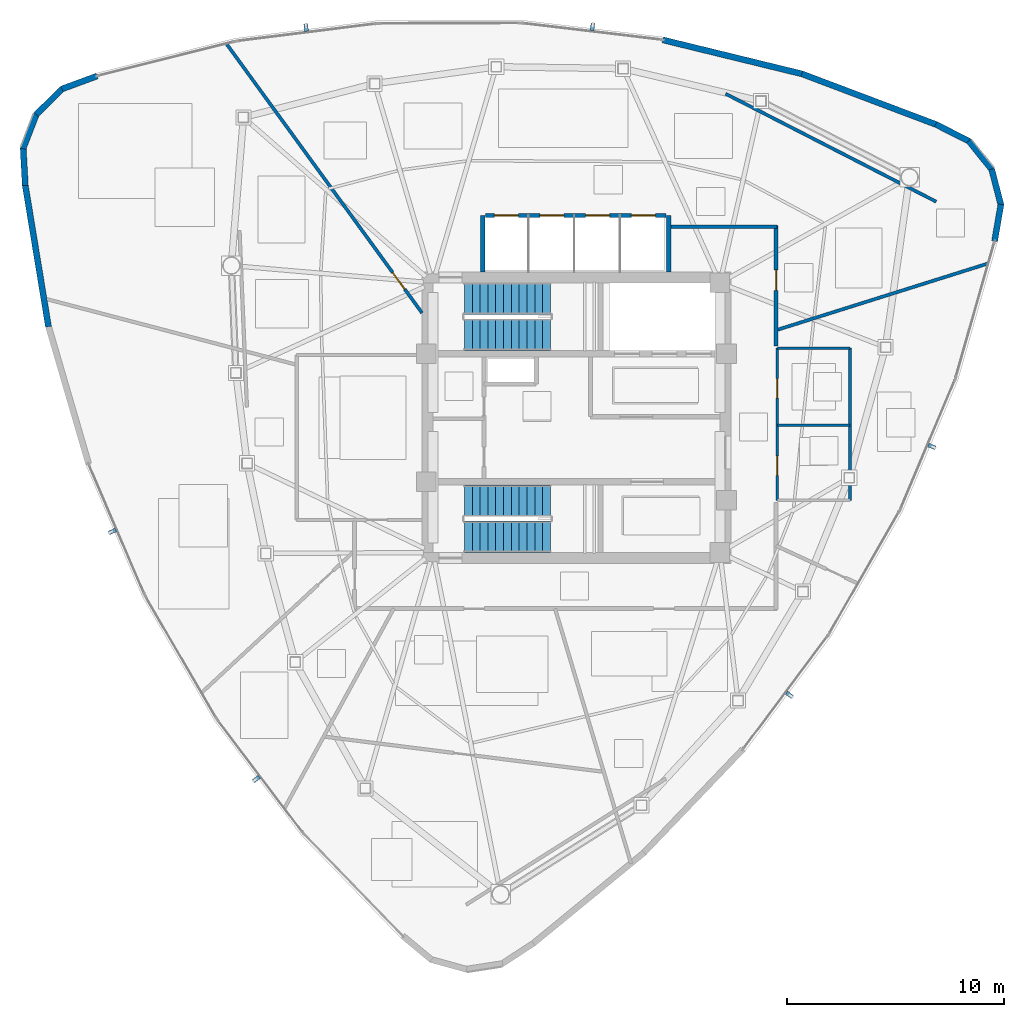
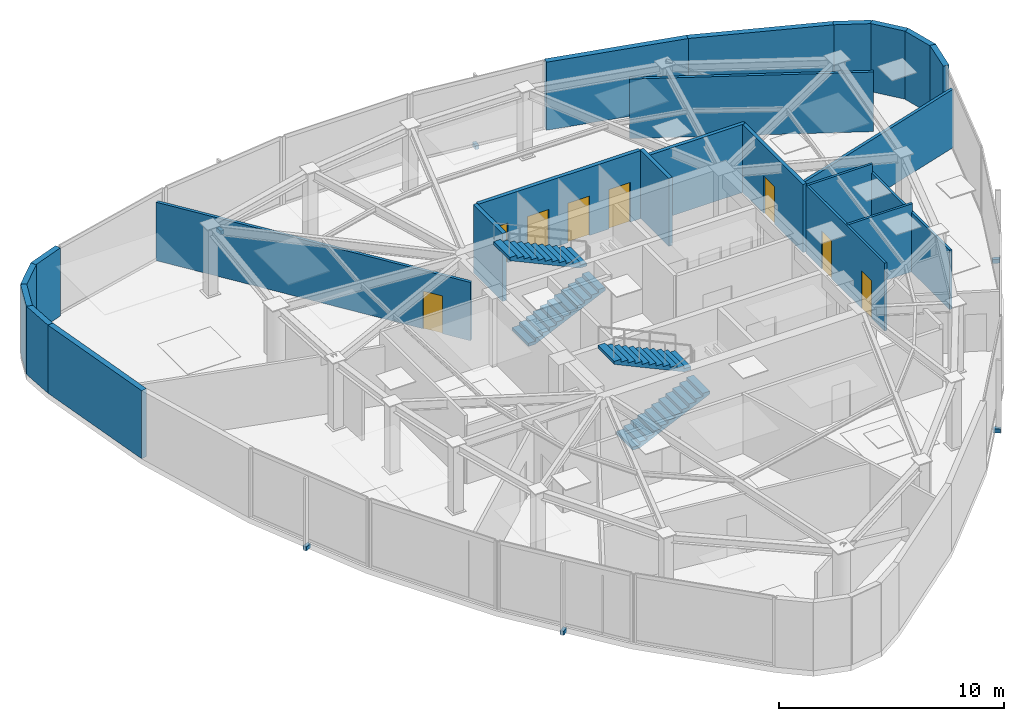
# One storey, part 9 of 12: 23 walls, 8 doors, 6 discrete accessories, 4 stair flights, 8 openings, 2 elements without a shape of their own.
"""IFC4 building model written with IfcOpenShell, lengths in metres."""

from ifc_helpers import new_model, si_unit, direction, frame, frame_2d, origin, origin_2d, place, context, subcontext, project, spatial, polyline, rectangle, outline, extrude, source, transform, mapped, material, layer, layer_set, type_object, type_shapes, element, fill, aggregate, save


model = new_model("IFC4")

# Units and contexts
model_context = context("Model", 3, precision=1e-05, world=origin(), true_north=direction((0.0, 1.0)))
body_context = subcontext(model_context, "Body", "Model", "MODEL_VIEW")
ifc_project = project(units=[si_unit("LENGTHUNIT", "METRE"), si_unit("AREAUNIT", "SQUARE_METRE"), si_unit("VOLUMEUNIT", "CUBIC_METRE"), si_unit("PLANEANGLEUNIT", "RADIAN"), si_unit("MASSUNIT", "GRAM", prefix="KILO")], contexts=[model_context])

# Site, building, storey
site_placement = place(None, origin())
site = spatial("IfcSite", under=ifc_project, at=site_placement, CompositionType="ELEMENT")
building_placement = place(site_placement, origin())
building = spatial("IfcBuilding", under=site, at=building_placement, Name="Tavelor Broadcast Tower", CompositionType="ELEMENT")
storey_placement = place(building_placement, frame((0.0, 0.0, 281.5)))
storey = spatial("IfcBuildingStorey", under=building, at=storey_placement, Name="L67", CompositionType="ELEMENT", Elevation=281.5)

# Wall
ifc_material_1 = material(Name="Calcium Silicate Fire Board 180 mm", Category="gypsum")
ifc_layer_1 = layer(ifc_material_1, 0.179931640625)
ifc_layer_set_1 = layer_set([ifc_layer_1], Name="Calcium Silicate Fire Board 180 mm")
wall_type_1 = type_object("IfcWallType", Name="Fire-Rated Corridor Partition Wall 180 mm", PredefinedType="PARTITIONING", material=ifc_layer_set_1)
wall_1_placement = place(storey_placement, frame((54.300048828125, 53.780029296875, 0.0), z_axis=(0.0, 0.0, 1.0), x_axis=(1.0, 0.0, 0.0)))
element("IfcWall", 1, at=wall_1_placement, inside=storey, type_object=wall_type_1, Name="L67 Corridor Compartment Wall 01", PredefinedType="PARTITIONING", context=body_context, shape_type="SweptSolid", body=[
    extrude(rectangle(XDim=4.929931640625, YDim=0.179931640625, at=frame_2d((2.46484375, 0.0))), origin(), (0.0, 0.0, 1.0), 3.699951171875),
])

# Wall, opening, door
wall_2_placement = place(storey_placement, frame((59.179931640625, 53.830078125, 0.0), z_axis=(0.0, 0.0, 1.0), x_axis=(0.0, -1.0, 0.0)))
wall_2 = element("IfcWall", 2, at=wall_2_placement, inside=storey, type_object=wall_type_1, Name="L67 Corridor Compartment Wall 02", PredefinedType="PARTITIONING", context=body_context, shape_type="SweptSolid", body=[
    extrude(rectangle(XDim=5.530029296875, YDim=0.179931640625, at=frame_2d((2.76513671875, 0.0))), origin(), (0.0, 0.0, 1.0), 3.699951171875),
])
opening_1_placement = place(wall_2_placement, frame((2.027587890625, 0.0, 0.0)))
opening_1 = element("IfcOpeningElement", 3, at=opening_1_placement, cuts=wall_2, Name="Opening DR18", PredefinedType="OPENING", context=body_context, shape_type="SweptSolid", body=[
    extrude(rectangle(XDim=0.949951171875, YDim=2.050048828125, at=frame_2d((0.47509765625, 1.02490234375))), frame((0.0, 0.10009765625, 0.0), z_axis=(0.0, -1.0, 0.0), x_axis=(1.0, 0.0, 0.0)), (0.0, 0.0, 1.0), 0.199951171875),
])
ifc_material_2 = material(Name="Timber Solid Core Hardwood", Category="wood")
door_type_1 = type_object("IfcDoorType", Name="Corridor Rated Compartment Door 950x2050", OperationType="NOTDEFINED", PredefinedType="DOOR", material=ifc_material_2)
door_1_placement = place(opening_1_placement, origin())
door_1 = element("IfcDoor", 4, at=door_1_placement, inside=storey, type_object=door_type_1, Name="L67 Press Concierge Desk Door R6", OperationType="SINGLE_SWING_RIGHT", OverallHeight=2.050048828125, OverallWidth=0.949951171875, PredefinedType="DOOR", context=body_context, shape_type="SweptSolid", body=[
    extrude(rectangle(XDim=0.949951171875, YDim=2.050048828125, at=frame_2d((0.47509765625, 1.02490234375))), frame((0.0, 0.02490234375, 0.0), z_axis=(0.0, -1.0, 0.0), x_axis=(1.0, 0.0, 0.0)), (0.0, 0.0, 1.0), 0.050048828125),
])
fill(opening_1, door_1)

# Walls
ifc_material_3 = material(Name="Precast Concrete C40/50", Category="concrete")
ifc_layer_2 = layer(ifc_material_3, 0.280029296875)
ifc_layer_set_2 = layer_set([ifc_layer_2], Name="Precast Concrete C40/50")
wall_type_2 = type_object("IfcWallType", Name="Insulated Precast Terracotta Facade Wall 280 mm", PredefinedType="STANDARD", material=ifc_layer_set_2)
wall_3_placement = place(storey_placement, frame((27.951904296875, 60.71142578125, 0.0), z_axis=(0.0, 0.0, 1.0), x_axis=(-0.938199627203, -0.34609458175, 0.0)))
element("IfcWall", 5, at=wall_3_placement, inside=storey, type_object=wall_type_2, Name="L67 Rounded Corner Structural Cladding Pier 01", PredefinedType="STANDARD", context=body_context, shape_type="SweptSolid", body=[
    extrude(rectangle(XDim=1.71484375, YDim=0.280029296875, at=frame_2d((0.857421875, 0.0))), origin(), (0.0, 0.0, 1.0), 3.699951171875),
])
for number, where, z_axis, x_axis, name in (
    (6, (26.36767578125, 60.1337890625, 0.0), (0.0, 0.0, 1.0), (-0.712603196174, -0.701567305968, 0.0), "L67 Rounded Corner Structural Cladding Pier 02"),
    (7, (25.169921875, 58.963134765625, 0.0), (0.0, 0.0, 1.0), (-0.360889558157, -0.932608560337, 0.0), "L67 Rounded Corner Structural Cladding Pier 03"),
):
    element("IfcWall", number, at=place(storey_placement, frame(where, z_axis=z_axis, x_axis=x_axis)), inside=storey, type_object=wall_type_2, Name=name, PredefinedType="STANDARD", context=body_context, shape_type="SweptSolid", body=[
        extrude(rectangle(XDim=1.703369140625, YDim=0.280029296875, at=frame_2d((0.8515625, 0.0))), origin(), (0.0, 0.0, 1.0), 3.699951171875),
    ])
wall_4_placement = place(storey_placement, frame((24.559814453125, 57.403564453125, 0.0), z_axis=(0.0, 0.0, 1.0), x_axis=(0.054882450085, -0.998492822544, 0.0)))
element("IfcWall", 8, at=wall_4_placement, inside=storey, type_object=wall_type_2, Name="L67 Rounded Corner Structural Cladding Pier 04", PredefinedType="STANDARD", context=body_context, shape_type="SweptSolid", body=[
    extrude(rectangle(XDim=1.72607421875, YDim=0.280029296875, at=frame_2d((0.863037109375, 0.0))), origin(), (0.0, 0.0, 1.0), 3.699951171875),
])
wall_5_placement = place(storey_placement, frame((24.6513671875, 55.709716796875, 0.0), z_axis=(0.0, 0.0, 1.0), x_axis=(0.162003710454, -0.986790148815, 0.0)))
element("IfcWall", 9, at=wall_5_placement, inside=storey, type_object=wall_type_2, Name="L67 Rounded Corner Structural Cladding Pier 05", PredefinedType="STANDARD", context=body_context, shape_type="SweptSolid", body=[
    extrude(rectangle(XDim=6.61279296875, YDim=0.280029296875, at=frame_2d((3.306396484375, 0.0))), origin(), (0.0, 0.0, 1.0), 3.699951171875),
])
wall_6_placement = place(storey_placement, frame((69.230712890625, 53.120849609375, 0.0), z_axis=(0.0, 0.0, 1.0), x_axis=(0.169268061447, 0.985570049958, 0.0)))
element("IfcWall", 10, at=wall_6_placement, inside=storey, type_object=wall_type_2, Name="L67 Rounded Corner Structural Cladding Pier 21", PredefinedType="STANDARD", context=body_context, shape_type="SweptSolid", body=[
    extrude(rectangle(XDim=1.71484375, YDim=0.280029296875, at=frame_2d((0.857421875, 0.0))), origin(), (0.0, 0.0, 1.0), 3.699951171875),
])
wall_7_placement = place(storey_placement, frame((69.522216796875, 54.78173828125, 0.0), z_axis=(0.0, 0.0, 1.0), x_axis=(-0.251126310971, 0.967954325337, 0.0)))
element("IfcWall", 11, at=wall_7_placement, inside=storey, type_object=wall_type_2, Name="L67 Rounded Corner Structural Cladding Pier 22", PredefinedType="STANDARD", context=body_context, shape_type="SweptSolid", body=[
    extrude(rectangle(XDim=1.703369140625, YDim=0.280029296875, at=frame_2d((0.8515625, 0.0))), origin(), (0.0, 0.0, 1.0), 3.699951171875),
])
wall_8_placement = place(storey_placement, frame((69.107666015625, 56.404296875, 0.0), z_axis=(0.0, 0.0, 1.0), x_axis=(-0.627295736885, 0.778781136447, 0.0)))
element("IfcWall", 12, at=wall_8_placement, inside=storey, type_object=wall_type_2, Name="L67 Rounded Corner Structural Cladding Pier 23", PredefinedType="STANDARD", context=body_context, shape_type="SweptSolid", body=[
    extrude(rectangle(XDim=1.70361328125, YDim=0.280029296875, at=frame_2d((0.851806640625, 0.0))), origin(), (0.0, 0.0, 1.0), 3.699951171875),
])
wall_9_placement = place(storey_placement, frame((68.06201171875, 57.71240234375, 0.0), z_axis=(0.0, 0.0, 1.0), x_axis=(-0.892209824928, 0.451621111445, 0.0)))
element("IfcWall", 13, at=wall_9_placement, inside=storey, type_object=wall_type_2, Name="L67 Rounded Corner Structural Cladding Pier 24", PredefinedType="STANDARD", context=body_context, shape_type="SweptSolid", body=[
    extrude(rectangle(XDim=1.72607421875, YDim=0.280029296875, at=frame_2d((0.863037109375, 0.0))), origin(), (0.0, 0.0, 1.0), 3.699951171875),
])
wall_10_placement = place(storey_placement, frame((66.54931640625, 58.47998046875, 0.0), z_axis=(0.0, 0.0, 1.0), x_axis=(-0.935589753538, 0.353088959152, 0.0)))
element("IfcWall", 14, at=wall_10_placement, inside=storey, type_object=wall_type_2, Name="L67 Rounded Corner Structural Cladding Pier 25", PredefinedType="STANDARD", context=body_context, shape_type="SweptSolid", body=[
    extrude(rectangle(XDim=6.613037109375, YDim=0.280029296875, at=frame_2d((3.306640625, 0.0))), origin(), (0.0, 0.0, 1.0), 3.699951171875),
])
wall_11_placement = place(storey_placement, frame((60.39111328125, 60.80615234375, 0.0), z_axis=(0.0, 0.0, 1.0), x_axis=(-0.971446571071, 0.237258423567, 0.0)))
element("IfcWall", 15, at=wall_11_placement, inside=storey, type_object=wall_type_2, Name="L67 Rounded Corner Structural Cladding Pier 26", PredefinedType="STANDARD", context=body_context, shape_type="SweptSolid", body=[
    extrude(rectangle(XDim=6.60107421875, YDim=0.280029296875, at=frame_2d((3.300537109375, 0.0))), origin(), (0.0, 0.0, 1.0), 3.699951171875),
])
ifc_material_4 = material(Name="Gypsum Acoustic Plasterboard 150 mm", Category="gypsum")
ifc_layer_3 = layer(ifc_material_4, 0.14990234375)
ifc_layer_set_3 = layer_set([ifc_layer_3], Name="Gypsum Acoustic Plasterboard 150 mm")
wall_type_3 = type_object("IfcWallType", Name="Interior Acoustic Partition Wall 150 mm", PredefinedType="PARTITIONING", material=ifc_layer_set_3)
wall_12_placement = place(storey_placement, frame((66.542724609375, 54.934326171875, 0.0), z_axis=(0.0, 0.0, 1.0), x_axis=(-0.889966951661, 0.456025026673, 0.0)))
element("IfcWall", 16, at=wall_12_placement, inside=storey, type_object=wall_type_3, Name="L67 Corner Tube Brace Furring Wall 3", PredefinedType="PARTITIONING", context=body_context, shape_type="SweptSolid", body=[
    extrude(rectangle(XDim=10.878662109375, YDim=0.14990234375, at=frame_2d((5.439453125, 0.0))), origin(), (0.0, 0.0, 1.0), 3.235107421875),
])

# Wall, opening, door
wall_13_placement = place(storey_placement, frame((42.89990234375, 49.8173828125, 0.0), z_axis=(0.0, 0.0, 1.0), x_axis=(-0.587781241669, 0.809019908248, 0.0)))
wall_13 = element("IfcWall", 17, at=wall_13_placement, inside=storey, type_object=wall_type_3, Name="L67 Radial Compartment Wall 01", PredefinedType="PARTITIONING", context=body_context, shape_type="SweptSolid", body=[
    extrude(rectangle(XDim=15.320068359375, YDim=0.14990234375, at=frame_2d((7.66015625, 0.0))), origin(), (0.0, 0.0, 1.0), 3.175048828125),
])
opening_2_placement = place(wall_13_placement, frame((1.35009765625, 0.0, 0.0)))
opening_2 = element("IfcOpeningElement", 18, at=opening_2_placement, cuts=wall_13, Name="Opening DR18", PredefinedType="OPENING", context=body_context, shape_type="SweptSolid", body=[
    extrude(rectangle(XDim=0.949951171875, YDim=2.050048828125, at=frame_2d((0.47509765625, 1.02490234375))), frame((0.0, 0.0849609375, 0.0), z_axis=(0.0, -1.0, 0.0), x_axis=(1.0, 0.0, 0.0)), (0.0, 0.0, 1.0), 0.169921875),
])
door_2_placement = place(opening_2_placement, origin())
door_2 = element("IfcDoor", 19, at=door_2_placement, inside=storey, type_object=door_type_1, Name="L67 Suite Connecting Door 5", OperationType="SINGLE_SWING_RIGHT", OverallHeight=2.050048828125, OverallWidth=0.949951171875, PredefinedType="DOOR", context=body_context, shape_type="SweptSolid", body=[
    extrude(rectangle(XDim=0.949951171875, YDim=2.050048828125, at=frame_2d((0.47509765625, 1.02490234375))), frame((0.0, 0.02490234375, 0.0), z_axis=(0.0, -1.0, 0.0), x_axis=(1.0, 0.0, 0.0)), (0.0, 0.0, 1.0), 0.050048828125),
])
fill(opening_2, door_2)

# Wall
wall_14_placement = place(storey_placement, frame((59.179931640625, 49.02294921875, 0.0), z_axis=(0.0, 0.0, 1.0), x_axis=(0.953860756616, 0.300249324709, 0.0)))
element("IfcWall", 20, at=wall_14_placement, inside=storey, type_object=wall_type_3, Name="L67 Radial Compartment Wall 07", PredefinedType="PARTITIONING", context=body_context, shape_type="SweptSolid", body=[
    extrude(rectangle(XDim=10.2412109375, YDim=0.14990234375, at=frame_2d((5.12060546875, 0.0))), origin(), (0.0, 0.0, 1.0), 3.175048828125),
])

# Wall, openings, doors
ifc_material_5 = material(Name="Concrete Blockwork 200 mm", Category="masonry")
ifc_layer_4 = layer(ifc_material_5, 0.199951171875)
ifc_layer_set_4 = layer_set([ifc_layer_4], Name="Concrete Blockwork 200 mm")
wall_type_4 = type_object("IfcWallType", Name="Lift Hoistway Rated Front Wall 200 mm", PredefinedType="PARTITIONING", material=ifc_layer_set_4)
wall_15_placement = place(storey_placement, frame((45.820068359375, 54.300048828125, 0.0), z_axis=(0.0, 0.0, 1.0), x_axis=(1.0, 0.0, 0.0)))
wall_15 = element("IfcWall", 21, at=wall_15_placement, inside=storey, type_object=wall_type_4, Name="L67 High-Rise Lift Hoistway Front Wall", PredefinedType="PARTITIONING", context=body_context, shape_type="SweptSolid", body=[
    extrude(rectangle(XDim=8.309814453125, YDim=0.199951171875, at=frame_2d((4.15478515625, 0.0))), origin(), (0.0, 0.0, 1.0), 3.699951171875),
])
opening_3_placement = place(wall_15_placement, frame((0.405029296875, 0.0, 0.0)))
opening_3 = element("IfcOpeningElement", 22, at=opening_3_placement, cuts=wall_15, Name="Opening LD01", PredefinedType="OPENING", context=body_context, shape_type="SweptSolid", body=[
    extrude(rectangle(XDim=1.10009765625, YDim=2.14990234375, at=frame_2d((0.550048828125, 1.074951171875))), frame((0.0, 0.10986328125, 0.0), z_axis=(0.0, -1.0, 0.0), x_axis=(1.0, 0.0, 0.0)), (0.0, 0.0, 1.0), 0.219970703125),
])
opening_4_placement = place(wall_15_placement, frame((2.5048828125, 0.0, 0.0)))
opening_4 = element("IfcOpeningElement", 23, at=opening_4_placement, cuts=wall_15, Name="Opening LD01", PredefinedType="OPENING", context=body_context, shape_type="SweptSolid", body=[
    extrude(rectangle(XDim=1.10009765625, YDim=2.14990234375, at=frame_2d((0.550048828125, 1.074951171875))), frame((0.0, 0.10986328125, 0.0), z_axis=(0.0, -1.0, 0.0), x_axis=(1.0, 0.0, 0.0)), (0.0, 0.0, 1.0), 0.219970703125),
])
opening_5_placement = place(wall_15_placement, frame((4.60498046875, 0.0, 0.0)))
opening_5 = element("IfcOpeningElement", 24, at=opening_5_placement, cuts=wall_15, Name="Opening LD01", PredefinedType="OPENING", context=body_context, shape_type="SweptSolid", body=[
    extrude(rectangle(XDim=1.10009765625, YDim=2.14990234375, at=frame_2d((0.550048828125, 1.074951171875))), frame((0.0, 0.10986328125, 0.0), z_axis=(0.0, -1.0, 0.0), x_axis=(1.0, 0.0, 0.0)), (0.0, 0.0, 1.0), 0.219970703125),
])
opening_6_placement = place(wall_15_placement, frame((6.705078125, 0.0, 0.0)))
opening_6 = element("IfcOpeningElement", 25, at=opening_6_placement, cuts=wall_15, Name="Opening LD01", PredefinedType="OPENING", context=body_context, shape_type="SweptSolid", body=[
    extrude(rectangle(XDim=1.10009765625, YDim=2.14990234375, at=frame_2d((0.550048828125, 1.074951171875))), frame((0.0, 0.10986328125, 0.0), z_axis=(0.0, -1.0, 0.0), x_axis=(1.0, 0.0, 0.0)), (0.0, 0.0, 1.0), 0.219970703125),
])
ifc_material_6 = material(Name="Brushed Stainless Steel", Category="steel")
door_type_2 = type_object("IfcDoorType", Name="Passenger Lift Sliding Landing Door 1100x2150", OperationType="NOTDEFINED", PredefinedType="DOOR", material=ifc_material_6)
door_3_placement = place(opening_3_placement, origin())
door_3 = element("IfcDoor", 26, at=door_3_placement, inside=storey, type_object=door_type_2, Name="L67 Lift PLH1 Sliding Landing Door", OperationType="SLIDING_TO_LEFT", OverallHeight=2.14990234375, OverallWidth=1.10009765625, PredefinedType="DOOR", context=body_context, shape_type="SweptSolid", body=[
    extrude(rectangle(XDim=1.10009765625, YDim=2.14990234375, at=frame_2d((0.550048828125, 1.074951171875))), frame((0.0, 0.02490234375, 0.0), z_axis=(0.0, -1.0, 0.0), x_axis=(1.0, 0.0, 0.0)), (0.0, 0.0, 1.0), 0.050048828125),
])
fill(opening_3, door_3)
door_4_placement = place(opening_4_placement, origin())
door_4 = element("IfcDoor", 27, at=door_4_placement, inside=storey, type_object=door_type_2, Name="L67 Lift PLH2 Sliding Landing Door", OperationType="SLIDING_TO_RIGHT", OverallHeight=2.14990234375, OverallWidth=1.10009765625, PredefinedType="DOOR", context=body_context, shape_type="SweptSolid", body=[
    extrude(rectangle(XDim=1.10009765625, YDim=2.14990234375, at=frame_2d((0.550048828125, 1.074951171875))), frame((0.0, 0.02490234375, 0.0), z_axis=(0.0, -1.0, 0.0), x_axis=(1.0, 0.0, 0.0)), (0.0, 0.0, 1.0), 0.050048828125),
])
fill(opening_4, door_4)
door_5_placement = place(opening_5_placement, origin())
door_5 = element("IfcDoor", 28, at=door_5_placement, inside=storey, type_object=door_type_2, Name="L67 Lift PLH3 Sliding Landing Door", OperationType="SLIDING_TO_LEFT", OverallHeight=2.14990234375, OverallWidth=1.10009765625, PredefinedType="DOOR", context=body_context, shape_type="SweptSolid", body=[
    extrude(rectangle(XDim=1.10009765625, YDim=2.14990234375, at=frame_2d((0.550048828125, 1.074951171875))), frame((0.0, 0.02490234375, 0.0), z_axis=(0.0, -1.0, 0.0), x_axis=(1.0, 0.0, 0.0)), (0.0, 0.0, 1.0), 0.050048828125),
])
fill(opening_5, door_5)
door_6_placement = place(opening_6_placement, origin())
door_6 = element("IfcDoor", 29, at=door_6_placement, inside=storey, type_object=door_type_2, Name="L67 Lift PLH4 Sliding Landing Door", OperationType="SLIDING_TO_RIGHT", OverallHeight=2.14990234375, OverallWidth=1.10009765625, PredefinedType="DOOR", context=body_context, shape_type="SweptSolid", body=[
    extrude(rectangle(XDim=1.10009765625, YDim=2.14990234375, at=frame_2d((0.550048828125, 1.074951171875))), frame((0.0, 0.02490234375, 0.0), z_axis=(0.0, -1.0, 0.0), x_axis=(1.0, 0.0, 0.0)), (0.0, 0.0, 1.0), 0.050048828125),
])
fill(opening_6, door_6)

# Walls
ifc_layer_5 = layer(ifc_material_5, 0.199951171875)
ifc_layer_set_5 = layer_set([ifc_layer_5], Name="Concrete Blockwork 200 mm")
wall_type_5 = type_object("IfcWallType", Name="Lift and Riser Shaft Enclosure Wall 200 mm", PredefinedType="PARTITIONING", material=ifc_layer_set_5)
for number, where, z_axis, x_axis, name in (
    (30, (45.699951171875, 51.699951171875, 0.0), (0.0, 0.0, 1.0), (0.0, 1.0, 0.0), "L67 High-Rise Lift Shaft West Wall"),
    (31, (54.25, 51.699951171875, 0.0), (0.0, 0.0, 1.0), (0.0, 1.0, 0.0), "L67 High-Rise Lift Shaft East Wall"),
):
    element("IfcWall", number, at=place(storey_placement, frame(where, z_axis=z_axis, x_axis=x_axis)), inside=storey, type_object=wall_type_5, Name=name, PredefinedType="PARTITIONING", context=body_context, shape_type="SweptSolid", body=[
        extrude(rectangle(XDim=2.60009765625, YDim=0.199951171875, at=frame_2d((1.300048828125, 0.0))), origin(), (0.0, 0.0, 1.0), 3.699951171875),
    ])

# Wall, openings, doors
ifc_material_7 = material(Name="Moisture-Resistant Plasterboard 120 mm", Category="gypsum")
ifc_layer_6 = layer(ifc_material_7, 0.1201171875)
ifc_layer_set_6 = layer_set([ifc_layer_6], Name="Moisture-Resistant Plasterboard 120 mm")
wall_type_6 = type_object("IfcWallType", Name="Moisture-Resistant Wet-Room Partition 120 mm", PredefinedType="PARTITIONING", material=ifc_layer_set_6)
wall_16_placement = place(storey_placement, frame((59.239990234375, 41.199951171875, 0.0), z_axis=(0.0, 0.0, 1.0), x_axis=(0.0, 1.0, 0.0)))
wall_16 = element("IfcWall", 32, at=wall_16_placement, inside=storey, type_object=wall_type_6, Name="L67 Floor Washrooms West Wall", PredefinedType="PARTITIONING", context=body_context, shape_type="SweptSolid", body=[
    extrude(rectangle(XDim=7.0, YDim=0.1201171875, at=frame_2d((3.5, 0.0))), origin(), (0.0, 0.0, 1.0), 3.699951171875),
])
opening_7_placement = place(wall_16_placement, frame((1.14990234375, 0.0, 0.0)))
opening_7 = element("IfcOpeningElement", 33, at=opening_7_placement, cuts=wall_16, Name="Opening DR32", PredefinedType="OPENING", context=body_context, shape_type="SweptSolid", body=[
    extrude(rectangle(XDim=0.89990234375, YDim=2.050048828125, at=frame_2d((0.449951171875, 1.02490234375))), frame((0.0, 0.070068359375, 0.0), z_axis=(0.0, -1.0, 0.0), x_axis=(1.0, 0.0, 0.0)), (0.0, 0.0, 1.0), 0.14013671875),
])
opening_8_placement = place(wall_16_placement, frame((4.699951171875, 0.0, 0.0)))
opening_8 = element("IfcOpeningElement", 34, at=opening_8_placement, cuts=wall_16, Name="Opening DR32", PredefinedType="OPENING", context=body_context, shape_type="SweptSolid", body=[
    extrude(rectangle(XDim=0.89990234375, YDim=2.050048828125, at=frame_2d((0.449951171875, 1.02490234375))), frame((0.0, 0.070068359375, 0.0), z_axis=(0.0, -1.0, 0.0), x_axis=(1.0, 0.0, 0.0)), (0.0, 0.0, 1.0), 0.14013671875),
])
door_type_3 = type_object("IfcDoorType", Name="Accessible Washroom Door 900x2050", OperationType="NOTDEFINED", PredefinedType="DOOR", material=ifc_material_2)
door_7_placement = place(opening_7_placement, origin())
door_7 = element("IfcDoor", 35, at=door_7_placement, inside=storey, type_object=door_type_3, Name="L67 Accessible WC Door", OperationType="SINGLE_SWING_LEFT", OverallHeight=2.050048828125, OverallWidth=0.89990234375, PredefinedType="DOOR", context=body_context, shape_type="SweptSolid", body=[
    extrude(rectangle(XDim=0.89990234375, YDim=2.050048828125, at=frame_2d((0.449951171875, 1.02490234375))), frame((0.0, 0.02490234375, 0.0), z_axis=(0.0, -1.0, 0.0), x_axis=(1.0, 0.0, 0.0)), (0.0, 0.0, 1.0), 0.050048828125),
])
fill(opening_7, door_7)
door_8_placement = place(opening_8_placement, origin())
door_8 = element("IfcDoor", 36, at=door_8_placement, inside=storey, type_object=door_type_3, Name="L67 Staff Washroom WC Door", OperationType="SINGLE_SWING_RIGHT", OverallHeight=2.050048828125, OverallWidth=0.89990234375, PredefinedType="DOOR", context=body_context, shape_type="SweptSolid", body=[
    extrude(rectangle(XDim=0.89990234375, YDim=2.050048828125, at=frame_2d((0.449951171875, 1.02490234375))), frame((0.0, 0.02490234375, 0.0), z_axis=(0.0, -1.0, 0.0), x_axis=(1.0, 0.0, 0.0)), (0.0, 0.0, 1.0), 0.050048828125),
])
fill(opening_8, door_8)

# Walls
for number, where, z_axis, x_axis, name in (
    (37, (59.239990234375, 44.64990234375, 0.0), (0.0, 0.0, 1.0), (1.0, 0.0, 0.0), "L67 Floor Washrooms Divider Wall"),
    (38, (59.239990234375, 48.199951171875, 0.0), (0.0, 0.0, 1.0), (1.0, 0.0, 0.0), "L67 Floor Washrooms North Wall"),
):
    element("IfcWall", number, at=place(storey_placement, frame(where, z_axis=z_axis, x_axis=x_axis)), inside=storey, type_object=wall_type_6, Name=name, PredefinedType="PARTITIONING", context=body_context, shape_type="SweptSolid", body=[
        extrude(rectangle(XDim=3.340087890625, YDim=0.1201171875, at=frame_2d((1.669921875, 0.0))), origin(), (0.0, 0.0, 1.0), 3.699951171875),
    ])
wall_17_placement = place(storey_placement, frame((62.580078125, 41.199951171875, 0.0), z_axis=(0.0, 0.0, 1.0), x_axis=(0.0, 1.0, 0.0)))
element("IfcWall", 39, at=wall_17_placement, inside=storey, type_object=wall_type_6, Name="L67 Floor Washrooms East Wall", PredefinedType="PARTITIONING", context=body_context, shape_type="SweptSolid", body=[
    extrude(rectangle(XDim=7.0, YDim=0.1201171875, at=frame_2d((3.5, 0.0))), origin(), (0.0, 0.0, 1.0), 3.235107421875),
])

# Stair, stair flights
ifc_material_8 = material(Name="Concrete C40/50", Category="concrete")
stair_type = type_object("IfcStairType", Name="Reinforced Concrete Protected Dogleg Stair 1450 mm", PredefinedType="HALF_TURN_STAIR", material=ifc_material_8)
stair_1_placement = place(storey_placement, origin())
stair_1 = element("IfcStair", 40, at=stair_1_placement, inside=storey, type_object=stair_type, Name="L67 Protected Core Exit Stair ST1", PredefinedType="HALF_TURN_STAIR")
stair_flight_type = type_object("IfcStairFlightType", Name="Reinforced Concrete Stair Flight 1450 mm", PredefinedType="STRAIGHT", material=ifc_material_8)
stair_flight_1_placement = place(storey_placement, frame((44.85009765625, 48.824951171875, 0.0), z_axis=(0.0, 0.0, 1.0), x_axis=(1.0, 0.0, 0.0)))
stair_flight_1 = element("IfcStairFlight", 41, at=stair_flight_1_placement, type_object=stair_flight_type, Name="ST1 flight 1", NumberOfRisers=12, NumberOfTreads=11, PredefinedType="STRAIGHT", RiserHeight=0.166666667, TreadLength=0.36, context=body_context, shape_type="SweptSolid", body=[
    extrude(outline(polyline([(0.0, 0.0), (0.0, 0.166748046875), (0.360107421875, 0.166748046875), (0.360107421875, 0.333251953125), (0.719970703125, 0.333251953125), (0.719970703125, 0.5), (1.080078125, 0.5), (1.080078125, 0.666748046875), (1.43994140625, 0.666748046875), (1.43994140625, 0.833251953125), (1.800048828125, 0.833251953125), (1.800048828125, 1.0), (2.159912109375, 1.0), (2.159912109375, 1.166748046875), (2.52001953125, 1.166748046875), (2.52001953125, 1.333251953125), (2.8798828125, 1.333251953125), (2.8798828125, 1.5), (3.239990234375, 1.5), (3.239990234375, 1.666748046875), (3.60009765625, 1.666748046875), (3.60009765625, 1.833251953125), (3.9599609375, 1.833251953125), (3.9599609375, 2.0), (3.9599609375, 1.668212890625), (0.356689453125, 0.0), (0.0, 0.0)])), frame((0.0, 0.72509765625, 0.0), z_axis=(0.0, -1.0, 0.0), x_axis=(1.0, 0.0, 0.0)), (0.0, 0.0, 1.0), 1.449951171875),
])
stair_flight_2_placement = place(storey_placement, frame((48.81005859375, 50.47509765625, 2.0), z_axis=(0.0, 0.0, 1.0), x_axis=(-1.0, 0.0, 0.0)))
stair_flight_2 = element("IfcStairFlight", 42, at=stair_flight_2_placement, type_object=stair_flight_type, Name="ST1 flight 2", NumberOfRisers=12, NumberOfTreads=11, PredefinedType="STRAIGHT", RiserHeight=0.166666667, TreadLength=0.36, context=body_context, shape_type="SweptSolid", body=[
    extrude(outline(polyline([(0.0, 0.0), (0.0, 0.166748046875), (0.360107421875, 0.166748046875), (0.360107421875, 0.333251953125), (0.719970703125, 0.333251953125), (0.719970703125, 0.5), (1.080078125, 0.5), (1.080078125, 0.666748046875), (1.43994140625, 0.666748046875), (1.43994140625, 0.833251953125), (1.800048828125, 0.833251953125), (1.800048828125, 1.0), (2.159912109375, 1.0), (2.159912109375, 1.166748046875), (2.52001953125, 1.166748046875), (2.52001953125, 1.333251953125), (2.8798828125, 1.333251953125), (2.8798828125, 1.5), (3.239990234375, 1.5), (3.239990234375, 1.666748046875), (3.60009765625, 1.666748046875), (3.60009765625, 1.833251953125), (3.9599609375, 1.833251953125), (3.9599609375, 2.0), (3.9599609375, 1.668212890625), (0.356689453125, 0.0), (0.0, 0.0)])), frame((0.0, 0.72509765625, 0.0), z_axis=(0.0, -1.0, 0.0), x_axis=(1.0, 0.0, 0.0)), (0.0, 0.0, 1.0), 1.449951171875),
])
aggregate(stair_1, [stair_flight_1, stair_flight_2])

stair_2_placement = place(storey_placement, origin())
stair_2 = element("IfcStair", 43, at=stair_2_placement, inside=storey, type_object=stair_type, Name="L67 Protected Core Exit Stair ST2", PredefinedType="HALF_TURN_STAIR")
stair_flight_3_placement = place(storey_placement, frame((44.85009765625, 39.52490234375, 0.0), z_axis=(0.0, 0.0, 1.0), x_axis=(1.0, 0.0, 0.0)))
stair_flight_3 = element("IfcStairFlight", 44, at=stair_flight_3_placement, type_object=stair_flight_type, Name="ST2 flight 1", NumberOfRisers=12, NumberOfTreads=11, PredefinedType="STRAIGHT", RiserHeight=0.166666667, TreadLength=0.36, context=body_context, shape_type="SweptSolid", body=[
    extrude(outline(polyline([(0.0, 0.0), (0.0, 0.166748046875), (0.360107421875, 0.166748046875), (0.360107421875, 0.333251953125), (0.719970703125, 0.333251953125), (0.719970703125, 0.5), (1.080078125, 0.5), (1.080078125, 0.666748046875), (1.43994140625, 0.666748046875), (1.43994140625, 0.833251953125), (1.800048828125, 0.833251953125), (1.800048828125, 1.0), (2.159912109375, 1.0), (2.159912109375, 1.166748046875), (2.52001953125, 1.166748046875), (2.52001953125, 1.333251953125), (2.8798828125, 1.333251953125), (2.8798828125, 1.5), (3.239990234375, 1.5), (3.239990234375, 1.666748046875), (3.60009765625, 1.666748046875), (3.60009765625, 1.833251953125), (3.9599609375, 1.833251953125), (3.9599609375, 2.0), (3.9599609375, 1.668212890625), (0.356689453125, 0.0), (0.0, 0.0)])), frame((0.0, 0.72509765625, 0.0), z_axis=(0.0, -1.0, 0.0), x_axis=(1.0, 0.0, 0.0)), (0.0, 0.0, 1.0), 1.449951171875),
])
stair_flight_4_placement = place(storey_placement, frame((48.81005859375, 41.175048828125, 2.0), z_axis=(0.0, 0.0, 1.0), x_axis=(-1.0, 0.0, 0.0)))
stair_flight_4 = element("IfcStairFlight", 45, at=stair_flight_4_placement, type_object=stair_flight_type, Name="ST2 flight 2", NumberOfRisers=12, NumberOfTreads=11, PredefinedType="STRAIGHT", RiserHeight=0.166666667, TreadLength=0.36, context=body_context, shape_type="SweptSolid", body=[
    extrude(outline(polyline([(0.0, 0.0), (0.0, 0.166748046875), (0.360107421875, 0.166748046875), (0.360107421875, 0.333251953125), (0.719970703125, 0.333251953125), (0.719970703125, 0.5), (1.080078125, 0.5), (1.080078125, 0.666748046875), (1.43994140625, 0.666748046875), (1.43994140625, 0.833251953125), (1.800048828125, 0.833251953125), (1.800048828125, 1.0), (2.159912109375, 1.0), (2.159912109375, 1.166748046875), (2.52001953125, 1.166748046875), (2.52001953125, 1.333251953125), (2.8798828125, 1.333251953125), (2.8798828125, 1.5), (3.239990234375, 1.5), (3.239990234375, 1.666748046875), (3.60009765625, 1.666748046875), (3.60009765625, 1.833251953125), (3.9599609375, 1.833251953125), (3.9599609375, 2.0), (3.9599609375, 1.668212890625), (0.356689453125, 0.0), (0.0, 0.0)])), frame((0.0, 0.72509765625, 0.0), z_axis=(0.0, -1.0, 0.0), x_axis=(1.0, 0.0, 0.0)), (0.0, 0.0, 1.0), 1.449951171875),
])
aggregate(stair_2, [stair_flight_3, stair_flight_4])

# Discrete accessories
ifc_material_9 = material(Name="Steel S355", Category="steel")
discrete_accessory_type = type_object("IfcDiscreteAccessoryType", Name="Stainless Baguette Outrigger Support Bracket 260x180", PredefinedType="BRACKET", material=ifc_material_9)
shared_shape = source(origin(), body_context, "Body", "SweptSolid", [
    extrude(rectangle(XDim=0.179931640625, YDim=0.340087890625, at=origin_2d()), origin(), (0.0, 0.0, 1.0), 0.216064453125),
])
type_shapes(discrete_accessory_type, [shared_shape])
for number, where, z_axis, x_axis, name in (
    (46, (28.660400390625, 39.77001953125, -0.2578125), (0.0, 0.0, 1.0), (0.394262724343, -0.918997771593, 0.0), "L67 Baguette Outrigger Bracket 673"),
    (47, (35.27978515625, 28.385498046875, -0.2578125), (0.0, 0.0, 1.0), (0.603625519008, -0.797267980545, 0.0), "L67 Baguette Outrigger Bracket 674"),
    (48, (59.79931640625, 32.252197265625, -0.2578125), (0.0, 0.0, 1.0), (0.598604254456, 0.801044909195, 0.0), "L67 Baguette Outrigger Bracket 675"),
    (49, (66.348876953125, 43.6767578125, -0.2578125), (0.0, 0.0, 1.0), (0.388641565272, 0.921389024106, 0.0), "L67 Baguette Outrigger Bracket 676"),
    (50, (50.740234375, 62.97802734375, -0.2578125), (0.0, 0.0, 1.0), (-0.993006778393, 0.11805735075, 0.0), "L67 Baguette Outrigger Bracket 677"),
    (51, (37.571533203125, 62.937744140625, -0.2578125), (0.0, 0.0, 1.0), (-0.99226708428, -0.124121043561, 0.0), "L67 Baguette Outrigger Bracket 678"),
):
    element("IfcDiscreteAccessory", number, at=place(storey_placement, frame(where, z_axis=z_axis, x_axis=x_axis)), inside=storey, type_object=discrete_accessory_type, Name=name, PredefinedType="BRACKET", context=body_context, shape_type="MappedRepresentation", body=[
        mapped(shared_shape, transform((0.0, 0.0, 0.0), scale=1.0)),
    ])

save(model, "model.ifc")
